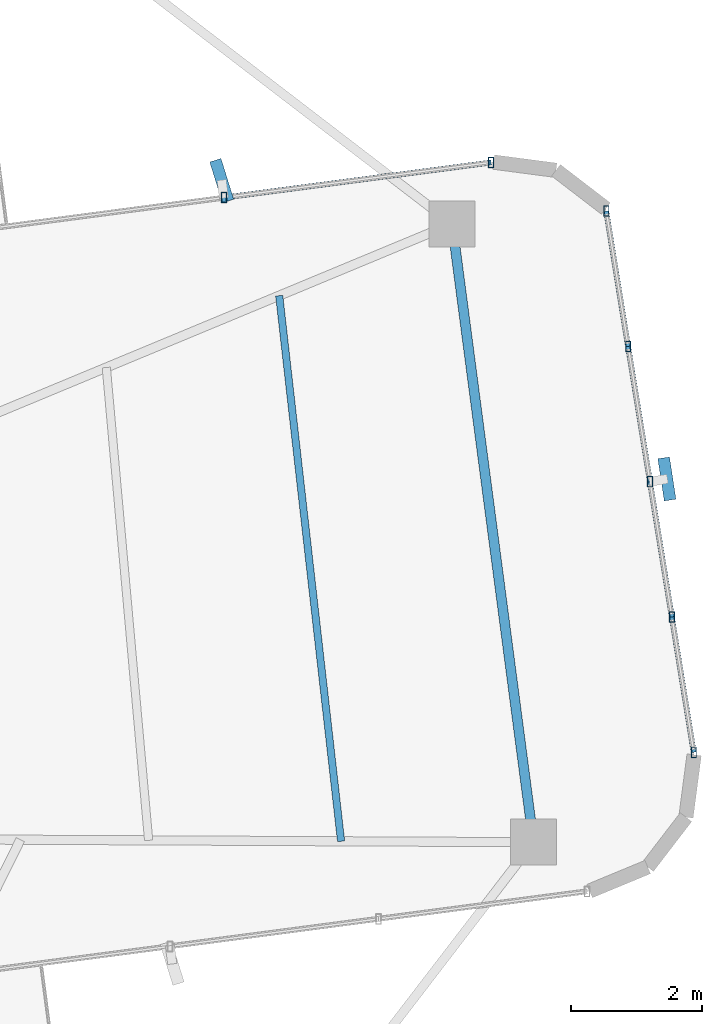
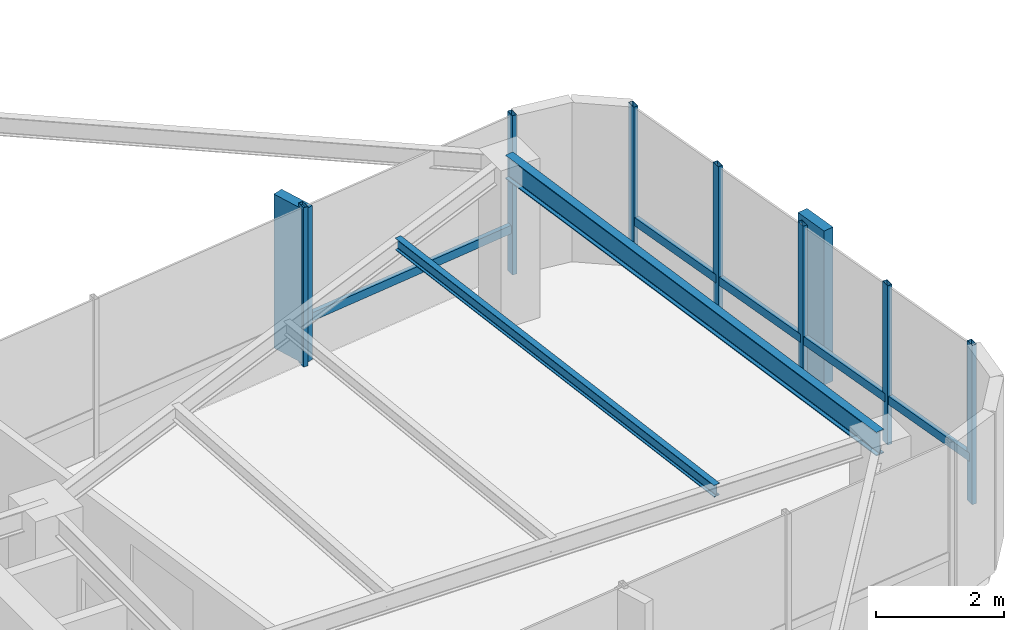
# One storey, part 13 of 22: 14 members, 2 beams, 2 elements without a shape of their own.
"""IFC4 building model written with IfcOpenShell, lengths in metres."""

from ifc_helpers import new_model, si_unit, direction, frame, origin, origin_2d, place, context, subcontext, project, spatial, rectangle, hollow_rectangle, i_section, extrude, source, transform, mapped, material, material_profile, profile_set, type_object, element, aggregate, save


model = new_model("IFC4")

# Units and contexts
model_context = context("Model", 3, precision=1e-05, world=origin(), true_north=direction((0.0, 1.0)))
body_context = subcontext(model_context, "Body", "Model", "MODEL_VIEW")
ifc_project = project(units=[si_unit("LENGTHUNIT", "METRE"), si_unit("AREAUNIT", "SQUARE_METRE"), si_unit("VOLUMEUNIT", "CUBIC_METRE"), si_unit("PLANEANGLEUNIT", "RADIAN"), si_unit("MASSUNIT", "GRAM", prefix="KILO")], contexts=[model_context])

# Site, building, storey
site_placement = place(None, origin())
site = spatial("IfcSite", under=ifc_project, at=site_placement, CompositionType="ELEMENT")
building_placement = place(site_placement, origin())
building = spatial("IfcBuilding", under=site, at=building_placement, Name="Sahyath Konkavel Grand Hotel", CompositionType="ELEMENT")
storey_placement = place(building_placement, frame((0.0, 0.0, 261.25)))
storey = spatial("IfcBuildingStorey", under=building, at=storey_placement, Name="L73", CompositionType="ELEMENT", Elevation=261.25)

# Beams
ifc_material_1 = material(Name="Steel E350", Category="steel")
ifc_material_profile_1 = material_profile(ifc_material_1, i_section(OverallWidth=0.14990234375, OverallDepth=0.449951171875, WebThickness=0.009521484375, FlangeThickness=0.017333984375, FilletRadius=0.014892578125, at=origin_2d()), Name="ISMB 450")
ifc_profile_set_1 = profile_set([ifc_material_profile_1], Name="Steel E350")
beam_type_1 = type_object("IfcBeamType", Name="BM-ISMB450", PredefinedType="BEAM", material=ifc_profile_set_1)
shared_shape_1 = source(origin(), body_context, "Body", "SweptSolid", [
    extrude(i_section(OverallWidth=0.14990234375, OverallDepth=0.449951171875, WebThickness=0.009521484375, FlangeThickness=0.017333984375, FilletRadius=0.014892578125, at=origin_2d()), origin(), (0.0, 0.0, 1.0), 9.5),
])
beam_1_placement = place(storey_placement, frame((17.71240234375, -2.458984375, 2.804931640625), z_axis=(-0.130525643939, 0.991444933556, 0.0), x_axis=(-0.991444933556, -0.130525643939, 0.0)))
element("IfcBeam", 1, at=beam_1_placement, inside=storey, type_object=beam_type_1, Name="L73 Wing Tip Edge Beam E", PredefinedType="BEAM", context=body_context, shape_type="MappedRepresentation", body=[
    mapped(shared_shape_1, transform((0.0, 0.0, 0.0), scale=1.0)),
])
ifc_material_profile_2 = material_profile(ifc_material_1, i_section(OverallWidth=0.110107421875, OverallDepth=0.22509765625, WebThickness=0.006591796875, FlangeThickness=0.01171875, FilletRadius=0.011962890625, at=origin_2d()), Name="ISMB 225")
ifc_profile_set_2 = profile_set([ifc_material_profile_2], Name="Steel E350")
beam_type_2 = type_object("IfcBeamType", Name="BM-ISMB225", PredefinedType="BEAM", material=ifc_profile_set_2)
shared_shape_2 = source(origin(), body_context, "Body", "SweptSolid", [
    extrude(i_section(OverallWidth=0.110107421875, OverallDepth=0.22509765625, WebThickness=0.006591796875, FlangeThickness=0.01171875, FilletRadius=0.011962890625, at=origin_2d()), origin(), (0.0, 0.0, 1.0), 8.36328125),
])
beam_2_placement = place(storey_placement, frame((14.781494140625, -2.44482421875, 2.91748046875), z_axis=(-0.112680437677, 0.99363127918, 0.0), x_axis=(-0.99363127918, -0.112680437677, 0.0)))
element("IfcBeam", 2, at=beam_2_placement, inside=storey, type_object=beam_type_2, Name="L73 Secondary Floor Beam E-3", PredefinedType="BEAM", context=body_context, shape_type="MappedRepresentation", body=[
    mapped(shared_shape_2, transform((0.0, 0.0, 0.0), scale=1.0)),
])

# Curtain wall, members
ifc_material_2 = material(Name="Anodised Bronze Aluminium & Low-E Glazing", Category="aluminium")
curtain_wall_type = type_object("IfcCurtainWallType", Name="CW-ZONE4", PredefinedType="NOTDEFINED", material=ifc_material_2)
curtain_wall_1_placement = place(storey_placement, origin())
curtain_wall_1 = element("IfcCurtainWall", 3, at=curtain_wall_1_placement, inside=storey, type_object=curtain_wall_type, Name="L73 Unitised Curtain Wall F4", PredefinedType="NOTDEFINED")
ifc_material_3 = material(Name="Anodised Bronze Aluminium", Category="aluminium")
ifc_material_profile_3 = material_profile(ifc_material_3, hollow_rectangle(XDim=0.080078125, YDim=0.159912109375, WallThickness=0.006103515625, at=origin_2d()), Name="RHS 160x80x6")
ifc_profile_set_3 = profile_set([ifc_material_profile_3], Name="Anodised Bronze Aluminium")
member_type_1 = type_object("IfcMemberType", Name="CW-MUL-160", PredefinedType="MULLION", material=ifc_profile_set_3)
shared_shape_3 = source(origin(), body_context, "Body", "SweptSolid", [
    extrude(hollow_rectangle(XDim=0.080078125, YDim=0.159912109375, WallThickness=0.006103515625, at=origin_2d()), origin(), (0.0, 0.0, 1.0), 3.030029296875),
])
member_1_placement = place(storey_placement, frame((20.1533203125, -1.0888671875, 0.0), z_axis=(0.0, 0.0, 1.0), x_axis=(1.0, 0.0, 0.0)))
member_1 = element("IfcMember", 4, at=member_1_placement, type_object=member_type_1, Name="L73 Curtain Wall Mullion F4-0", PredefinedType="MULLION", context=body_context, shape_type="MappedRepresentation", body=[
    mapped(shared_shape_3, transform((0.0, 0.0, 0.0), scale=1.0)),
])
member_2_placement = place(storey_placement, frame((19.8203125, 0.9716796875, 0.0), z_axis=(0.0, 0.0, 1.0), x_axis=(1.0, 0.0, 0.0)))
member_2 = element("IfcMember", 5, at=member_2_placement, type_object=member_type_1, Name="L73 Curtain Wall Mullion F4-1", PredefinedType="MULLION", context=body_context, shape_type="MappedRepresentation", body=[
    mapped(shared_shape_3, transform((0.0, 0.0, 0.0), scale=1.0)),
])
member_3_placement = place(storey_placement, frame((19.487060546875, 3.031982421875, 0.0), z_axis=(0.0, 0.0, 1.0), x_axis=(1.0, 0.0, 0.0)))
member_3 = element("IfcMember", 6, at=member_3_placement, type_object=member_type_1, Name="L73 Curtain Wall Mullion F4-2", PredefinedType="MULLION", context=body_context, shape_type="MappedRepresentation", body=[
    mapped(shared_shape_3, transform((0.0, 0.0, 0.0), scale=1.0)),
])
member_4_placement = place(storey_placement, frame((19.15380859375, 5.09228515625, 0.0), z_axis=(0.0, 0.0, 1.0), x_axis=(1.0, 0.0, 0.0)))
member_4 = element("IfcMember", 7, at=member_4_placement, type_object=member_type_1, Name="L73 Curtain Wall Mullion F4-3", PredefinedType="MULLION", context=body_context, shape_type="MappedRepresentation", body=[
    mapped(shared_shape_3, transform((0.0, 0.0, 0.0), scale=1.0)),
])
member_5_placement = place(storey_placement, frame((18.82080078125, 7.15283203125, 0.0), z_axis=(0.0, 0.0, 1.0), x_axis=(1.0, 0.0, 0.0)))
member_5 = element("IfcMember", 8, at=member_5_placement, type_object=member_type_1, Name="L73 Curtain Wall Mullion F4-4", PredefinedType="MULLION", context=body_context, shape_type="MappedRepresentation", body=[
    mapped(shared_shape_3, transform((0.0, 0.0, 0.0), scale=1.0)),
])

curtain_wall_2_placement = place(storey_placement, origin())
curtain_wall_2 = element("IfcCurtainWall", 9, at=curtain_wall_2_placement, inside=storey, type_object=curtain_wall_type, Name="L73 Unitised Curtain Wall F7", PredefinedType="NOTDEFINED")
member_6_placement = place(storey_placement, frame((17.0654296875, 7.89501953125, 0.0), z_axis=(0.0, 0.0, 1.0), x_axis=(1.0, 0.0, 0.0)))
member_6 = element("IfcMember", 10, at=member_6_placement, type_object=member_type_1, Name="L73 Curtain Wall Mullion F7-0", PredefinedType="MULLION", context=body_context, shape_type="MappedRepresentation", body=[
    mapped(shared_shape_3, transform((0.0, 0.0, 0.0), scale=1.0)),
])
member_7_placement = place(storey_placement, frame((12.997314453125, 7.359619140625, 0.0), z_axis=(0.0, 0.0, 1.0), x_axis=(1.0, 0.0, 0.0)))
member_7 = element("IfcMember", 11, at=member_7_placement, type_object=member_type_1, Name="L73 Curtain Wall Mullion F7-1", PredefinedType="MULLION", context=body_context, shape_type="MappedRepresentation", body=[
    mapped(shared_shape_3, transform((0.0, 0.0, 0.0), scale=1.0)),
])

# Member
ifc_material_4 = material(Name="Warm Buff Sandstone Cladding on Concrete C50/60", Category="masonry")
ifc_material_profile_4 = material_profile(ifc_material_4, rectangle(XDim=0.179931640625, YDim=0.64990234375, at=origin_2d()), Name="FIN 180x650")
ifc_profile_set_4 = profile_set([ifc_material_profile_4], Name="Warm Buff Sandstone Cladding on Concrete C50/60")
member_type_2 = type_object("IfcMemberType", Name="FIN-SANDSTONE-650", PredefinedType="MULLION", material=ifc_profile_set_4)
shared_shape_4 = source(origin(), body_context, "Body", "SweptSolid", [
    extrude(rectangle(XDim=0.179931640625, YDim=0.64990234375, at=origin_2d()), origin(), (0.0, 0.0, 1.0), 2.929931640625),
])
member_8_placement = place(storey_placement, frame((19.74365234375, 3.073486328125, 0.050048828125), z_axis=(0.0, 0.0, 1.0), x_axis=(0.988572951285, 0.150743225348, 0.0)))
member_8 = element("IfcMember", 12, at=member_8_placement, type_object=member_type_2, Name="L73 Sandstone Vertical Solar Fin FIN F4-2", PredefinedType="MULLION", context=body_context, shape_type="MappedRepresentation", body=[
    mapped(shared_shape_4, transform((0.0, 0.0, 0.0), scale=1.0)),
])

member_9_placement = place(storey_placement, frame((12.96337890625, 7.6171875, 0.050048828125), z_axis=(0.0, 0.0, 1.0), x_axis=(0.954812686667, 0.297208232354, 0.0)))
member_9 = element("IfcMember", 13, at=member_9_placement, type_object=member_type_2, Name="L73 Sandstone Vertical Solar Fin FIN F7-1", PredefinedType="MULLION", context=body_context, shape_type="MappedRepresentation", body=[
    mapped(shared_shape_4, transform((0.0, 0.0, 0.0), scale=1.0)),
])

ifc_material_profile_5 = material_profile(ifc_material_3, hollow_rectangle(XDim=0.080078125, YDim=0.159912109375, WallThickness=0.006103515625, at=origin_2d()), Name="RHS 160x80x6")
ifc_profile_set_5 = profile_set([ifc_material_profile_5], Name="Anodised Bronze Aluminium")
member_type_3 = type_object("IfcMemberType", Name="CW-TRN-160", PredefinedType="USERDEFINED", material=ifc_profile_set_5)
shared_shape_5 = source(origin(), body_context, "Body", "SweptSolid", [
    extrude(hollow_rectangle(XDim=0.080078125, YDim=0.159912109375, WallThickness=0.006103515625, at=origin_2d()), origin(), (0.0, 0.0, 1.0), 2.08740234375),
])
member_10_placement = place(storey_placement, frame((20.1533203125, -1.0888671875, 0.85009765625), z_axis=(-0.159541334591, 0.98719124923, 0.0), x_axis=(-0.98719124923, -0.159541334591, 0.0)))
member_10 = element("IfcMember", 14, at=member_10_placement, type_object=member_type_3, Name="L73 Curtain Wall Transom F4-0-spandrel", ObjectType="TRANSOM", PredefinedType="USERDEFINED", context=body_context, shape_type="MappedRepresentation", body=[
    mapped(shared_shape_5, transform((0.0, 0.0, 0.0), scale=1.0)),
])

member_11_placement = place(storey_placement, frame((19.15380859375, 5.09228515625, 0.85009765625), z_axis=(-0.159541334591, 0.98719124923, 0.0), x_axis=(-0.98719124923, -0.159541334591, 0.0)))
member_11 = element("IfcMember", 15, at=member_11_placement, type_object=member_type_3, Name="L73 Curtain Wall Transom F4-3-spandrel", ObjectType="TRANSOM", PredefinedType="USERDEFINED", context=body_context, shape_type="MappedRepresentation", body=[
    mapped(shared_shape_5, transform((0.0, 0.0, 0.0), scale=1.0)),
])

shared_shape_6 = source(origin(), body_context, "Body", "SweptSolid", [
    extrude(hollow_rectangle(XDim=0.080078125, YDim=0.159912109375, WallThickness=0.006103515625, at=origin_2d()), origin(), (0.0, 0.0, 1.0), 2.087158203125),
])
member_12_placement = place(storey_placement, frame((19.8203125, 0.9716796875, 0.85009765625), z_axis=(-0.159673756436, 0.98716983924, 0.0), x_axis=(-0.98716983924, -0.159673756436, 0.0)))
member_12 = element("IfcMember", 16, at=member_12_placement, type_object=member_type_3, Name="L73 Curtain Wall Transom F4-1-spandrel", ObjectType="TRANSOM", PredefinedType="USERDEFINED", context=body_context, shape_type="MappedRepresentation", body=[
    mapped(shared_shape_6, transform((0.0, 0.0, 0.0), scale=1.0)),
])

member_13_placement = place(storey_placement, frame((19.487060546875, 3.031982421875, 0.85009765625), z_axis=(-0.159673756436, 0.98716983924, 0.0), x_axis=(-0.98716983924, -0.159673756436, 0.0)))
member_13 = element("IfcMember", 17, at=member_13_placement, type_object=member_type_3, Name="L73 Curtain Wall Transom F4-2-spandrel", ObjectType="TRANSOM", PredefinedType="USERDEFINED", context=body_context, shape_type="MappedRepresentation", body=[
    mapped(shared_shape_6, transform((0.0, 0.0, 0.0), scale=1.0)),
])

aggregate(curtain_wall_1, [member_1, member_2, member_3, member_8, member_4, member_5, member_10, member_12, member_13, member_11])

shared_shape_7 = source(origin(), body_context, "Body", "SweptSolid", [
    extrude(hollow_rectangle(XDim=0.080078125, YDim=0.159912109375, WallThickness=0.006103515625, at=origin_2d()), origin(), (0.0, 0.0, 1.0), 4.103271484375),
])
member_14_placement = place(storey_placement, frame((17.0654296875, 7.89501953125, 0.85009765625), z_axis=(-0.991450447248, -0.130483756275, 0.0), x_axis=(0.130483756275, -0.991450447248, 0.0)))
member_14 = element("IfcMember", 18, at=member_14_placement, type_object=member_type_3, Name="L73 Curtain Wall Transom F7-0-spandrel", ObjectType="TRANSOM", PredefinedType="USERDEFINED", context=body_context, shape_type="MappedRepresentation", body=[
    mapped(shared_shape_7, transform((0.0, 0.0, 0.0), scale=1.0)),
])

aggregate(curtain_wall_2, [member_6, member_7, member_9, member_14])

save(model, "model.ifc")
